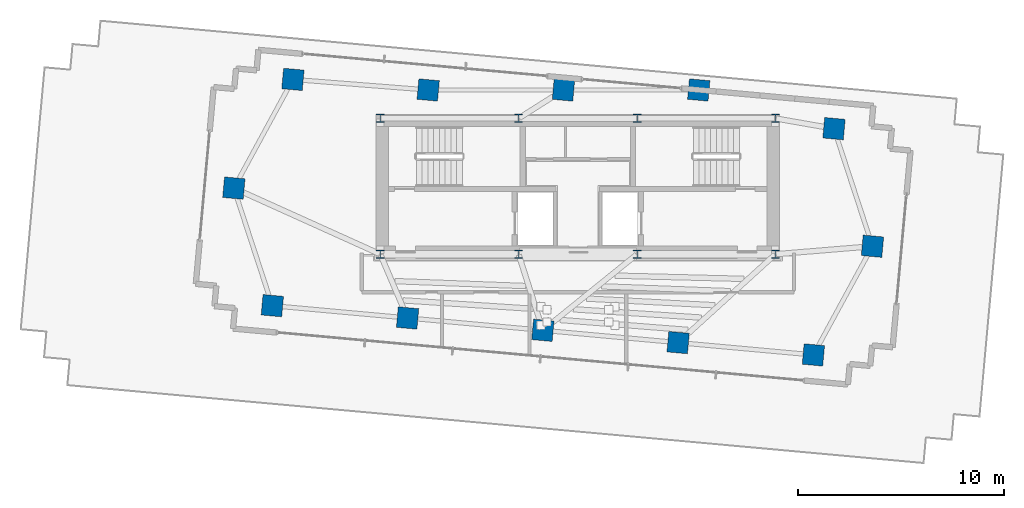
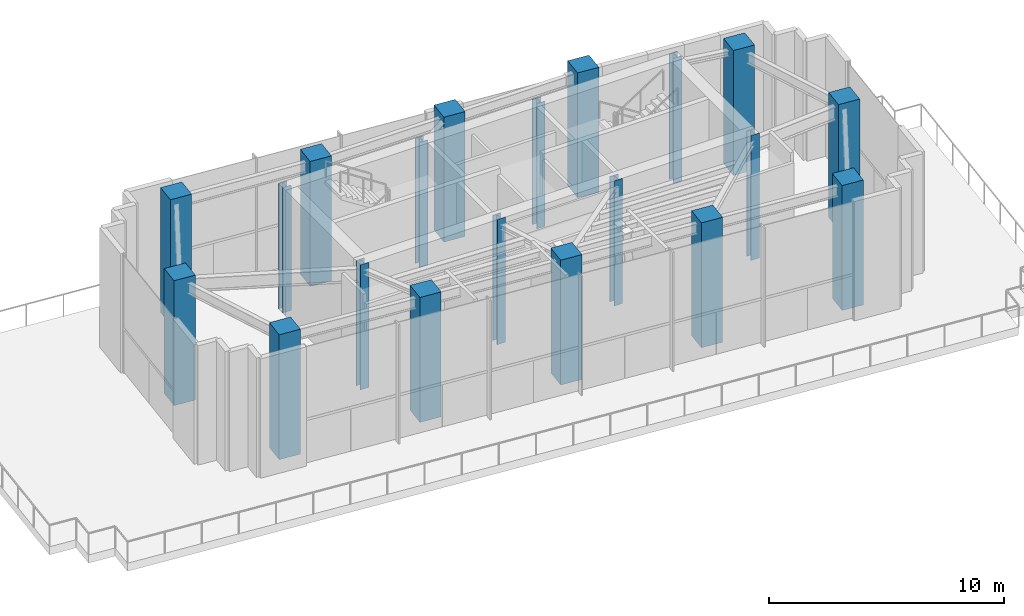
# One storey, part 1 of 18: 20 columns.
"""IFC4 building model written with IfcOpenShell, lengths in metres."""

from ifc_helpers import new_model, si_unit, direction, frame, origin, origin_2d, place, context, subcontext, project, spatial, rectangle, i_section, extrude, source, transform, mapped, material, material_profile, profile_set, type_object, type_shapes, element, save


model = new_model("IFC4")

# Units and contexts
model_context = context("Model", 3, precision=1e-05, world=origin(), true_north=direction((0.0, 1.0)))
body_context = subcontext(model_context, "Body", "Model", "MODEL_VIEW")
ifc_project = project(units=[si_unit("LENGTHUNIT", "METRE"), si_unit("AREAUNIT", "SQUARE_METRE"), si_unit("VOLUMEUNIT", "CUBIC_METRE"), si_unit("PLANEANGLEUNIT", "RADIAN"), si_unit("MASSUNIT", "GRAM", prefix="KILO")], contexts=[model_context])

# Site, building, storey
site_placement = place(None, origin())
site = spatial("IfcSite", under=ifc_project, at=site_placement, CompositionType="ELEMENT")
building_placement = place(site_placement, origin())
building = spatial("IfcBuilding", under=site, at=building_placement, Name="Astriad Promenade Condominiums", CompositionType="ELEMENT")
storey_placement = place(building_placement, frame((0.0, 0.0, 264.300048828125)))
storey = spatial("IfcBuildingStorey", under=building, at=storey_placement, Name="L76", CompositionType="ELEMENT", Elevation=264.300048828125)

# Columns
ifc_material_1 = material(Name="Steel ASTM A992 Grade 50", Category="steel")
ifc_material_profile_1 = material_profile(ifc_material_1, i_section(OverallWidth=0.403564453125, OverallDepth=0.407470703125, WebThickness=0.027099609375, FlangeThickness=0.043701171875, FilletRadius=0.017822265625, at=origin_2d()), Name="W14X233")
ifc_profile_set_1 = profile_set([ifc_material_profile_1], Name="Steel ASTM A992 Grade 50")
column_type_1 = type_object("IfcColumnType", Name="STEEL CORE PILASTER W14X233", PredefinedType="PILASTER", material=ifc_profile_set_1)
shared_shape_1 = source(origin(), body_context, "Body", "SweptSolid", [
    extrude(i_section(OverallWidth=0.403564453125, OverallDepth=0.407470703125, WebThickness=0.027099609375, FlangeThickness=0.043701171875, FilletRadius=0.017822265625, at=origin_2d()), origin(), (0.0, 0.0, 1.0), 6.49609375),
])
type_shapes(column_type_1, [shared_shape_1])
for number, where, z_axis, x_axis, name in (
    (1, (26.39990234375, 17.39990234375, 0.001953125), (0.0, 0.0, 1.0), (1.0, 0.0, 0.0), "Core Pilaster Column CP1 (L76)"),
    (2, (33.1201171875, 17.39990234375, 0.001953125), (0.0, 0.0, 1.0), (1.0, 0.0, 0.0), "Core Pilaster Column CP2 (L76)"),
    (3, (38.8798828125, 17.39990234375, 0.001953125), (0.0, 0.0, 1.0), (1.0, 0.0, 0.0), "Core Pilaster Column CP3 (L76)"),
    (4, (45.60009765625, 17.39990234375, 0.001953125), (0.0, 0.0, 1.0), (1.0, 0.0, 0.0), "Core Pilaster Column CP4 (L76)"),
    (5, (26.39990234375, 24.0, 0.001953125), (0.0, 0.0, 1.0), (1.0, 0.0, 0.0), "Core Pilaster Column CP5 (L76)"),
    (6, (33.1201171875, 24.0, 0.001953125), (0.0, 0.0, 1.0), (1.0, 0.0, 0.0), "Core Pilaster Column CP6 (L76)"),
    (7, (38.8798828125, 24.0, 0.001953125), (0.0, 0.0, 1.0), (1.0, 0.0, 0.0), "Core Pilaster Column CP7 (L76)"),
    (8, (45.60009765625, 24.0, 0.001953125), (0.0, 0.0, 1.0), (1.0, 0.0, 0.0), "Core Pilaster Column CP8 (L76)"),
):
    element("IfcColumn", number, at=place(storey_placement, frame(where, z_axis=z_axis, x_axis=x_axis)), inside=storey, type_object=column_type_1, Name=name, PredefinedType="PILASTER", context=body_context, shape_type="MappedRepresentation", body=[
        mapped(shared_shape_1, transform((0.0, 0.0, 0.0), scale=1.0)),
    ])
ifc_material_2 = material(Name="Concrete C60/75", Category="concrete")
ifc_material_profile_2 = material_profile(ifc_material_2, rectangle(XDim=1.0, YDim=1.0, at=origin_2d()), Name="RC-COL-1000X1000")
ifc_profile_set_2 = profile_set([ifc_material_profile_2], Name="Concrete C60/75")
column_type_2 = type_object("IfcColumnType", Name="CONCRETE TOWER COLUMN 1000X1000", PredefinedType="COLUMN", material=ifc_profile_set_2)
shared_shape_2 = source(origin(), body_context, "Body", "SweptSolid", [
    extrude(rectangle(XDim=1.0, YDim=1.0, at=origin_2d()), origin(), (0.0, 0.0, 1.0), 6.494140625),
])
type_shapes(column_type_2, [shared_shape_2])
for number, where, z_axis, x_axis, name in (
    (9, (21.154052734375, 14.899169921875, 0.00390625), (0.0, 0.0, 1.0), (0.995884398616, -0.090632580198, 0.0), "Perimeter Column PC01 (L76)"),
    (10, (27.726806640625, 14.30078125, 0.00390625), (0.0, 0.0, 1.0), (0.995884398616, -0.090632580198, 0.0), "Perimeter Column PC02 (L76)"),
    (11, (34.2998046875, 13.70263671875, 0.00390625), (0.0, 0.0, 1.0), (0.995884398616, -0.090632580198, 0.0), "Perimeter Column PC03 (L76)"),
    (12, (40.87255859375, 13.1044921875, 0.00390625), (0.0, 0.0, 1.0), (0.995884398616, -0.090632580198, 0.0), "Perimeter Column PC04 (L76)"),
    (13, (47.4453125, 12.50634765625, 0.00390625), (0.0, 0.0, 1.0), (0.995884398616, -0.090632580198, 0.0), "Perimeter Column PC05 (L76)"),
    (14, (22.154541015625, 25.8935546875, 0.00390625), (0.0, 0.0, 1.0), (0.995884398616, -0.090632580198, 0.0), "Perimeter Column PC06 (L76)"),
    (15, (28.7275390625, 25.3798828125, 0.00390625), (0.0, 0.0, 1.0), (0.995884398616, -0.090632580198, 0.0), "Perimeter Column PC07 (L76)"),
    (16, (35.30029296875, 25.3798828125, 0.00390625), (0.0, 0.0, 1.0), (0.995884398616, -0.090632580198, 0.0), "Perimeter Column PC08 (L76)"),
    (17, (41.873046875, 25.3798828125, 0.00390625), (0.0, 0.0, 1.0), (0.995884398616, -0.090632580198, 0.0), "Perimeter Column PC09 (L76)"),
    (18, (48.446044921875, 23.5009765625, 0.00390625), (0.0, 0.0, 1.0), (0.995884398616, -0.090632580198, 0.0), "Perimeter Column PC10 (L76)"),
    (19, (19.2841796875, 20.612060546875, 0.00390625), (0.0, 0.0, 1.0), (0.995884398616, -0.090632580198, 0.0), "Perimeter Column PC11 (L76)"),
    (20, (50.31591796875, 17.787841796875, 0.00390625), (0.0, 0.0, 1.0), (0.995884398616, -0.090632580198, 0.0), "Perimeter Column PC12 (L76)"),
):
    element("IfcColumn", number, at=place(storey_placement, frame(where, z_axis=z_axis, x_axis=x_axis)), inside=storey, type_object=column_type_2, Name=name, PredefinedType="COLUMN", context=body_context, shape_type="MappedRepresentation", body=[
        mapped(shared_shape_2, transform((0.0, 0.0, 0.0), scale=1.0)),
    ])

save(model, "model.ifc")
